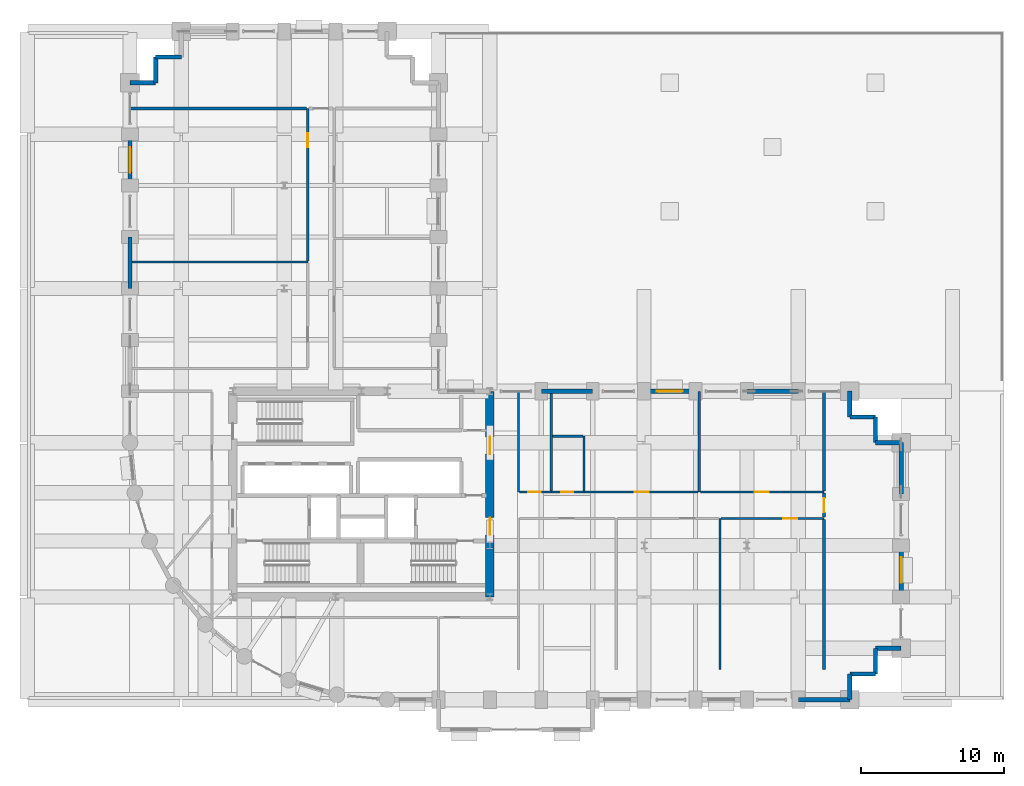
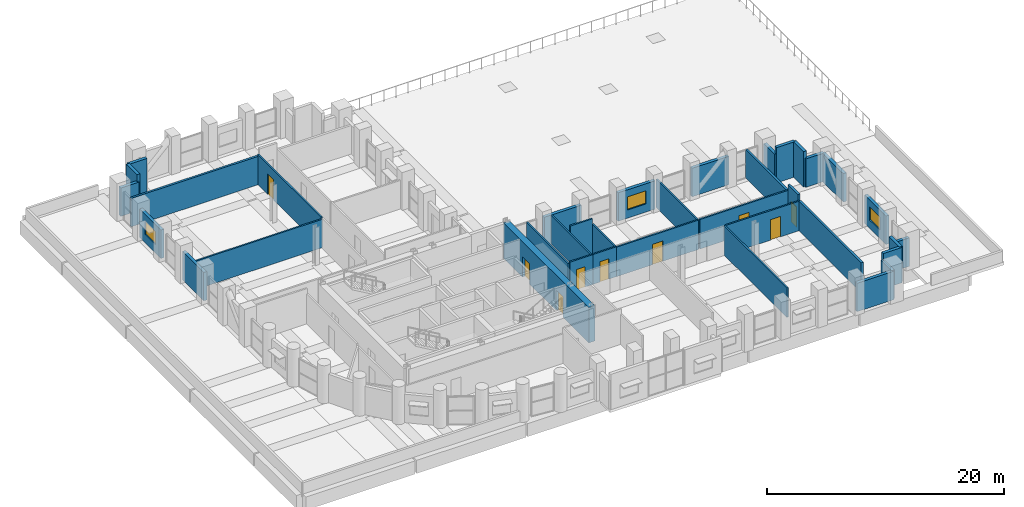
# One storey, part 36 of 39: 37 walls, 9 doors, 3 windows, 12 openings.
"""IFC4 building model written with IfcOpenShell, lengths in metres."""

from ifc_helpers import new_model, si_unit, direction, frame, frame_2d, origin, place, context, subcontext, project, spatial, rectangle, extrude, material, layer, layer_set, type_object, element, fill, save


model = new_model("IFC4")

# Units and contexts
model_context = context("Model", 3, precision=1e-05, world=origin(), true_north=direction((0.0, 1.0)))
body_context = subcontext(model_context, "Body", "Model", "MODEL_VIEW")
ifc_project = project(units=[si_unit("LENGTHUNIT", "METRE"), si_unit("AREAUNIT", "SQUARE_METRE"), si_unit("VOLUMEUNIT", "CUBIC_METRE"), si_unit("PLANEANGLEUNIT", "RADIAN"), si_unit("MASSUNIT", "GRAM", prefix="KILO")], contexts=[model_context])

# Site, building, storey
site_placement = place(None, origin())
site = spatial("IfcSite", under=ifc_project, at=site_placement, CompositionType="ELEMENT")
building_placement = place(site_placement, origin())
building = spatial("IfcBuilding", under=site, at=building_placement, Name="Solnavia Interchange Tower", CompositionType="ELEMENT")
storey_placement = place(building_placement, frame((0.0, 0.0, 24.0)))
storey = spatial("IfcBuildingStorey", under=building, at=storey_placement, Name="L05", CompositionType="ELEMENT", Elevation=24.0)

# Walls
ifc_material_1 = material(Name="Gypsum Acoustic Twin-Stud & Mineral Wool", Category="gypsum")
ifc_layer_1 = layer(ifc_material_1, 0.199951171875)
ifc_layer_set_1 = layer_set([ifc_layer_1], Name="Gypsum Acoustic Twin-Stud & Mineral Wool")
wall_type_1 = type_object("IfcWallType", Name="Wall-ApartmentParty-200", PredefinedType="PARTITIONING", material=ifc_layer_set_1)
wall_1_placement = place(storey_placement, frame((55.800048828125, 5.699951171875, 0.0), z_axis=(0.0, 0.0, 1.0), x_axis=(0.0, 1.0, 0.0)))
element("IfcWall", 1, at=wall_1_placement, inside=storey, type_object=wall_type_1, Name="PTW-L05-24 Interior partition wall", PredefinedType="PARTITIONING", context=body_context, shape_type="SweptSolid", body=[
    extrude(rectangle(XDim=10.52099609375, YDim=0.199951171875, at=frame_2d((5.260498046875, 0.0))), origin(), (0.0, 0.0, 1.0), 3.080078125),
])
wall_2_placement = place(storey_placement, frame((55.800048828125, 18.22900390625, 0.0), z_axis=(0.0, 0.0, 1.0), x_axis=(0.0, 1.0, 0.0)))
element("IfcWall", 2, at=wall_2_placement, inside=storey, type_object=wall_type_1, Name="PTW-L05-25 Interior partition wall", PredefinedType="PARTITIONING", context=body_context, shape_type="SweptSolid", body=[
    extrude(rectangle(XDim=6.970947265625, YDim=0.199951171875, at=frame_2d((3.4853515625, 0.0))), origin(), (0.0, 0.0, 1.0), 2.929931640625),
])

# Wall, opening, door
wall_3_placement = place(storey_placement, frame((55.800048828125, 16.37890625, 0.0), z_axis=(0.0, 0.0, 1.0), x_axis=(0.0, 1.0, 0.0)))
wall_3 = element("IfcWall", 3, at=wall_3_placement, inside=storey, type_object=wall_type_1, Name="PTW-L05-26 Interior partition wall", PredefinedType="PARTITIONING", context=body_context, shape_type="SweptSolid", body=[
    extrude(rectangle(XDim=1.692138671875, YDim=0.199951171875, at=frame_2d((0.84619140625, 0.0))), origin(), (0.0, 0.0, 1.0), 3.635009765625),
])
opening_1_placement = place(wall_3_placement, frame((0.339111328125, 0.0, 0.0)))
opening_1 = element("IfcOpeningElement", 4, at=opening_1_placement, cuts=wall_3, Name="Opening DR-06", PredefinedType="OPENING", context=body_context, shape_type="SweptSolid", body=[
    extrude(rectangle(XDim=1.0, YDim=2.10009765625, at=frame_2d((0.5, 1.050048828125))), frame((0.0, 0.10986328125, 0.0), z_axis=(0.0, -1.0, 0.0), x_axis=(1.0, 0.0, 0.0)), (0.0, 0.0, 1.0), 0.219970703125),
])
ifc_material_2 = material(Name="Engineered Timber Acoustic Fire Door", Category="wood")
door_type_1 = type_object("IfcDoorType", Name="Door-FlatEntry-1000x2100", OperationType="SINGLE_SWING_LEFT", PredefinedType="DOOR", material=ifc_material_2)
door_1_placement = place(opening_1_placement, origin())
door_1 = element("IfcDoor", 5, at=door_1_placement, inside=storey, type_object=door_type_1, Name="DR-L05-12 Interior room door", OperationType="SINGLE_SWING_RIGHT", OverallHeight=2.10009765625, OverallWidth=1.0, PredefinedType="DOOR", context=body_context, shape_type="SweptSolid", body=[
    extrude(rectangle(XDim=1.0, YDim=2.10009765625, at=frame_2d((0.5, 1.050048828125))), frame((0.0, 0.02490234375, 0.0), z_axis=(0.0, -1.0, 0.0), x_axis=(1.0, 0.0, 0.0)), (0.0, 0.0, 1.0), 0.050048828125),
])
fill(opening_1, door_1)

# Walls
wall_4_placement = place(storey_placement, frame((7.199951171875, 45.0, 0.0), z_axis=(0.0, 0.0, 1.0), x_axis=(1.0, 0.0, 0.0)))
element("IfcWall", 6, at=wall_4_placement, inside=storey, type_object=wall_type_1, Name="PTW-L05-35 Interior partition wall", PredefinedType="PARTITIONING", context=body_context, shape_type="SweptSolid", body=[
    extrude(rectangle(XDim=12.37109375, YDim=0.199951171875, at=frame_2d((6.185546875, 0.0))), origin(), (0.0, 0.0, 1.0), 2.929931640625),
])
ifc_material_3 = material(Name="Concrete C40/50", Category="concrete")
ifc_layer_2 = layer(ifc_material_3, 0.300048828125)
ifc_layer_set_2 = layer_set([ifc_layer_2], Name="Concrete C40/50")
wall_type_2 = type_object("IfcWallType", Name="Wall-ExtSpandrel-300", PredefinedType="STANDARD", material=ifc_layer_set_2)
wall_5_placement = place(storey_placement, frame((57.60009765625, 3.60009765625, 0.0), z_axis=(0.0, 0.0, 1.0), x_axis=(-1.0, 0.0, 0.0)))
element("IfcWall", 7, at=wall_5_placement, inside=storey, type_object=wall_type_2, Name="EXW-L05-11 Exterior precast spandrel wall", PredefinedType="STANDARD", context=body_context, shape_type="SweptSolid", body=[
    extrude(rectangle(XDim=3.60009765625, YDim=0.300048828125, at=frame_2d((1.800048828125, 0.0))), origin(), (0.0, 0.0, 1.0), 2.929931640625),
])
wall_6_placement = place(storey_placement, frame((57.60009765625, 5.39990234375, 0.0), z_axis=(0.0, 0.0, 1.0), x_axis=(0.0, -1.0, 0.0)))
element("IfcWall", 8, at=wall_6_placement, inside=storey, type_object=wall_type_2, Name="EXW-L05-12 Exterior precast spandrel wall", PredefinedType="STANDARD", context=body_context, shape_type="SweptSolid", body=[
    extrude(rectangle(XDim=1.7998046875, YDim=0.300048828125, at=frame_2d((0.89990234375, 0.0))), origin(), (0.0, 0.0, 1.0), 2.929931640625),
])
wall_7_placement = place(storey_placement, frame((59.39990234375, 5.39990234375, 0.0), z_axis=(0.0, 0.0, 1.0), x_axis=(-1.0, 0.0, 0.0)))
element("IfcWall", 9, at=wall_7_placement, inside=storey, type_object=wall_type_2, Name="EXW-L05-13 Exterior precast spandrel wall", PredefinedType="STANDARD", context=body_context, shape_type="SweptSolid", body=[
    extrude(rectangle(XDim=1.7998046875, YDim=0.300048828125, at=frame_2d((0.89990234375, 0.0))), origin(), (0.0, 0.0, 1.0), 3.635009765625),
])
wall_8_placement = place(storey_placement, frame((59.39990234375, 7.199951171875, 0.0), z_axis=(0.0, 0.0, 1.0), x_axis=(0.0, -1.0, 0.0)))
element("IfcWall", 10, at=wall_8_placement, inside=storey, type_object=wall_type_2, Name="EXW-L05-14 Exterior precast spandrel wall", PredefinedType="STANDARD", context=body_context, shape_type="SweptSolid", body=[
    extrude(rectangle(XDim=1.800048828125, YDim=0.300048828125, at=frame_2d((0.89990234375, 0.0))), origin(), (0.0, 0.0, 1.0), 3.635009765625),
])
wall_9_placement = place(storey_placement, frame((61.199951171875, 7.199951171875, 0.0), z_axis=(0.0, 0.0, 1.0), x_axis=(-1.0, 0.0, 0.0)))
element("IfcWall", 11, at=wall_9_placement, inside=storey, type_object=wall_type_2, Name="EXW-L05-15 Exterior precast spandrel wall", PredefinedType="STANDARD", context=body_context, shape_type="SweptSolid", body=[
    extrude(rectangle(XDim=1.800048828125, YDim=0.300048828125, at=frame_2d((0.89990234375, 0.0))), origin(), (0.0, 0.0, 1.0), 2.929931640625),
])

# Wall, opening, window
wall_10_placement = place(storey_placement, frame((61.199951171875, 14.39990234375, 0.0), z_axis=(0.0, 0.0, 1.0), x_axis=(0.0, -1.0, 0.0)))
wall_10 = element("IfcWall", 12, at=wall_10_placement, inside=storey, type_object=wall_type_2, Name="EXW-L05-17 Exterior precast spandrel wall", PredefinedType="STANDARD", context=body_context, shape_type="SweptSolid", body=[
    extrude(rectangle(XDim=3.599853515625, YDim=0.300048828125, at=frame_2d((1.7998046875, 0.0))), origin(), (0.0, 0.0, 1.0), 2.929931640625),
])
opening_2_placement = place(wall_10_placement, frame((0.824951171875, 0.0, 0.85009765625)))
opening_2 = element("IfcOpeningElement", 13, at=opening_2_placement, cuts=wall_10, Name="Opening WIN-02", PredefinedType="OPENING", context=body_context, shape_type="SweptSolid", body=[
    extrude(rectangle(XDim=1.800048828125, YDim=1.35009765625, at=frame_2d((0.89990234375, 0.675048828125))), frame((0.0, 0.16015625, 0.0), z_axis=(0.0, -1.0, 0.0), x_axis=(1.0, 0.0, 0.0)), (0.0, 0.0, 1.0), 0.320068359375),
])
ifc_material_4 = material(Name="Thermal-Break Aluminium & Low-E Glass", Category="aluminium")
window_type = type_object("IfcWindowType", Name="Window-Ribbon-1800x1350", PartitioningType="SINGLE_PANEL", PredefinedType="WINDOW", material=ifc_material_4)
window_1_placement = place(opening_2_placement, origin())
window_1 = element("IfcWindow", 14, at=window_1_placement, inside=storey, type_object=window_type, Name="WIN-L05-17 Facade ribbon window", OverallHeight=1.35009765625, OverallWidth=1.800048828125, PartitioningType="SINGLE_PANEL", PredefinedType="WINDOW", context=body_context, shape_type="SweptSolid", body=[
    extrude(rectangle(XDim=1.800048828125, YDim=1.35009765625, at=frame_2d((0.89990234375, 0.675048828125))), frame((0.0, 0.030029296875, 0.0), z_axis=(0.0, -1.0, 0.0), x_axis=(1.0, 0.0, 0.0)), (0.0, 0.0, 1.0), 0.06005859375),
])
fill(opening_2, window_1)

# Walls
wall_11_placement = place(storey_placement, frame((61.199951171875, 21.60009765625, 0.0), z_axis=(0.0, 0.0, 1.0), x_axis=(0.0, -1.0, 0.0)))
element("IfcWall", 15, at=wall_11_placement, inside=storey, type_object=wall_type_2, Name="EXW-L05-19 Exterior precast spandrel wall", PredefinedType="STANDARD", context=body_context, shape_type="SweptSolid", body=[
    extrude(rectangle(XDim=3.60009765625, YDim=0.300048828125, at=frame_2d((1.800048828125, 0.0))), origin(), (0.0, 0.0, 1.0), 2.929931640625),
])
wall_12_placement = place(storey_placement, frame((61.199951171875, 21.60009765625, 0.0), z_axis=(0.0, 0.0, 1.0), x_axis=(-1.0, 0.0, 0.0)))
element("IfcWall", 16, at=wall_12_placement, inside=storey, type_object=wall_type_2, Name="EXW-L05-20 Exterior precast spandrel wall", PredefinedType="STANDARD", context=body_context, shape_type="SweptSolid", body=[
    extrude(rectangle(XDim=1.800048828125, YDim=0.300048828125, at=frame_2d((0.89990234375, 0.0))), origin(), (0.0, 0.0, 1.0), 2.929931640625),
])
for number, where, z_axis, x_axis, name in (
    (17, (59.39990234375, 23.39990234375, 0.0), (0.0, 0.0, 1.0), (0.0, -1.0, 0.0), "EXW-L05-21 Exterior precast spandrel wall"),
    (18, (57.60009765625, 23.39990234375, 0.0), (0.0, 0.0, 1.0), (1.0, 0.0, 0.0), "EXW-L05-22 Exterior precast spandrel wall"),
):
    element("IfcWall", number, at=place(storey_placement, frame(where, z_axis=z_axis, x_axis=x_axis)), inside=storey, type_object=wall_type_2, Name=name, PredefinedType="STANDARD", context=body_context, shape_type="SweptSolid", body=[
        extrude(rectangle(XDim=1.7998046875, YDim=0.300048828125, at=frame_2d((0.89990234375, 0.0))), origin(), (0.0, 0.0, 1.0), 3.635009765625),
    ])
wall_13_placement = place(storey_placement, frame((57.60009765625, 25.199951171875, 0.0), z_axis=(0.0, 0.0, 1.0), x_axis=(0.0, -1.0, 0.0)))
element("IfcWall", 19, at=wall_13_placement, inside=storey, type_object=wall_type_2, Name="EXW-L05-23 Exterior precast spandrel wall", PredefinedType="STANDARD", context=body_context, shape_type="SweptSolid", body=[
    extrude(rectangle(XDim=1.800048828125, YDim=0.300048828125, at=frame_2d((0.89990234375, 0.0))), origin(), (0.0, 0.0, 1.0), 2.929931640625),
])
wall_14_placement = place(storey_placement, frame((50.39990234375, 25.199951171875, 0.0), z_axis=(0.0, 0.0, 1.0), x_axis=(1.0, 0.0, 0.0)))
element("IfcWall", 20, at=wall_14_placement, inside=storey, type_object=wall_type_2, Name="EXW-L05-25 Exterior precast spandrel wall", PredefinedType="STANDARD", context=body_context, shape_type="SweptSolid", body=[
    extrude(rectangle(XDim=3.60009765625, YDim=0.300048828125, at=frame_2d((1.800048828125, 0.0))), origin(), (0.0, 0.0, 1.0), 2.929931640625),
])

# Wall, opening, window
wall_15_placement = place(storey_placement, frame((43.199951171875, 25.199951171875, 0.0), z_axis=(0.0, 0.0, 1.0), x_axis=(1.0, 0.0, 0.0)))
wall_15 = element("IfcWall", 21, at=wall_15_placement, inside=storey, type_object=wall_type_2, Name="EXW-L05-27 Exterior precast spandrel wall", PredefinedType="STANDARD", context=body_context, shape_type="SweptSolid", body=[
    extrude(rectangle(XDim=3.60009765625, YDim=0.300048828125, at=frame_2d((1.800048828125, 0.0))), origin(), (0.0, 0.0, 1.0), 2.929931640625),
])
opening_3_placement = place(wall_15_placement, frame((0.89990234375, 0.0, 0.85009765625)))
opening_3 = element("IfcOpeningElement", 22, at=opening_3_placement, cuts=wall_15, Name="Opening WIN-02", PredefinedType="OPENING", context=body_context, shape_type="SweptSolid", body=[
    extrude(rectangle(XDim=1.800048828125, YDim=1.35009765625, at=frame_2d((0.89990234375, 0.675048828125))), frame((0.0, 0.16015625, 0.0), z_axis=(0.0, -1.0, 0.0), x_axis=(1.0, 0.0, 0.0)), (0.0, 0.0, 1.0), 0.320068359375),
])
window_2_placement = place(opening_3_placement, origin())
window_2 = element("IfcWindow", 23, at=window_2_placement, inside=storey, type_object=window_type, Name="WIN-L05-27 Facade ribbon window", OverallHeight=1.35009765625, OverallWidth=1.800048828125, PartitioningType="SINGLE_PANEL", PredefinedType="WINDOW", context=body_context, shape_type="SweptSolid", body=[
    extrude(rectangle(XDim=1.800048828125, YDim=1.35009765625, at=frame_2d((0.89990234375, 0.675048828125))), frame((0.0, 0.030029296875, 0.0), z_axis=(0.0, -1.0, 0.0), x_axis=(1.0, 0.0, 0.0)), (0.0, 0.0, 1.0), 0.06005859375),
])
fill(opening_3, window_2)

# Walls
wall_16_placement = place(storey_placement, frame((36.0, 25.199951171875, 0.0), z_axis=(0.0, 0.0, 1.0), x_axis=(1.0, 0.0, 0.0)))
element("IfcWall", 24, at=wall_16_placement, inside=storey, type_object=wall_type_2, Name="EXW-L05-29 Exterior precast spandrel wall", PredefinedType="STANDARD", context=body_context, shape_type="SweptSolid", body=[
    extrude(rectangle(XDim=3.60009765625, YDim=0.300048828125, at=frame_2d((1.800048828125, 0.0))), origin(), (0.0, 0.0, 1.0), 2.929931640625),
])
for number, where, z_axis, x_axis, name in (
    (25, (9.0, 48.60009765625, 0.0), (0.0, 0.0, 1.0), (1.0, 0.0, 0.0), "EXW-L05-47 Exterior precast spandrel wall"),
    (26, (9.0, 46.800048828125, 0.0), (0.0, 0.0, 1.0), (0.0, 1.0, 0.0), "EXW-L05-48 Exterior precast spandrel wall"),
):
    element("IfcWall", number, at=place(storey_placement, frame(where, z_axis=z_axis, x_axis=x_axis)), inside=storey, type_object=wall_type_2, Name=name, PredefinedType="STANDARD", context=body_context, shape_type="SweptSolid", body=[
        extrude(rectangle(XDim=1.800048828125, YDim=0.300048828125, at=frame_2d((0.89990234375, 0.0))), origin(), (0.0, 0.0, 1.0), 3.635009765625),
    ])
wall_17_placement = place(storey_placement, frame((7.199951171875, 46.800048828125, 0.0), z_axis=(0.0, 0.0, 1.0), x_axis=(1.0, 0.0, 0.0)))
element("IfcWall", 27, at=wall_17_placement, inside=storey, type_object=wall_type_2, Name="EXW-L05-49 Exterior precast spandrel wall", PredefinedType="STANDARD", context=body_context, shape_type="SweptSolid", body=[
    extrude(rectangle(XDim=1.800048828125, YDim=0.300048828125, at=frame_2d((0.89990234375, 0.0))), origin(), (0.0, 0.0, 1.0), 2.929931640625),
])

# Wall, opening, window
wall_18_placement = place(storey_placement, frame((7.199951171875, 39.60009765625, 0.0), z_axis=(0.0, 0.0, 1.0), x_axis=(0.0, 1.0, 0.0)))
wall_18 = element("IfcWall", 28, at=wall_18_placement, inside=storey, type_object=wall_type_2, Name="EXW-L05-51 Exterior precast spandrel wall", PredefinedType="STANDARD", context=body_context, shape_type="SweptSolid", body=[
    extrude(rectangle(XDim=3.599853515625, YDim=0.300048828125, at=frame_2d((1.7998046875, 0.0))), origin(), (0.0, 0.0, 1.0), 2.929931640625),
])
opening_4_placement = place(wall_18_placement, frame((0.89990234375, 0.0, 0.85009765625)))
opening_4 = element("IfcOpeningElement", 29, at=opening_4_placement, cuts=wall_18, Name="Opening WIN-02", PredefinedType="OPENING", context=body_context, shape_type="SweptSolid", body=[
    extrude(rectangle(XDim=1.800048828125, YDim=1.35009765625, at=frame_2d((0.89990234375, 0.675048828125))), frame((0.0, 0.16015625, 0.0), z_axis=(0.0, -1.0, 0.0), x_axis=(1.0, 0.0, 0.0)), (0.0, 0.0, 1.0), 0.320068359375),
])
window_3_placement = place(opening_4_placement, origin())
window_3 = element("IfcWindow", 30, at=window_3_placement, inside=storey, type_object=window_type, Name="WIN-L05-51 Facade ribbon window", OverallHeight=1.35009765625, OverallWidth=1.800048828125, PartitioningType="SINGLE_PANEL", PredefinedType="WINDOW", context=body_context, shape_type="SweptSolid", body=[
    extrude(rectangle(XDim=1.800048828125, YDim=1.35009765625, at=frame_2d((0.89990234375, 0.675048828125))), frame((0.0, 0.030029296875, 0.0), z_axis=(0.0, -1.0, 0.0), x_axis=(1.0, 0.0, 0.0)), (0.0, 0.0, 1.0), 0.06005859375),
])
fill(opening_4, window_3)

# Walls
wall_19_placement = place(storey_placement, frame((7.199951171875, 32.39990234375, 0.0), z_axis=(0.0, 0.0, 1.0), x_axis=(0.0, 1.0, 0.0)))
element("IfcWall", 31, at=wall_19_placement, inside=storey, type_object=wall_type_2, Name="EXW-L05-53 Exterior precast spandrel wall", PredefinedType="STANDARD", context=body_context, shape_type="SweptSolid", body=[
    extrude(rectangle(XDim=3.60009765625, YDim=0.300048828125, at=frame_2d((1.800048828125, 0.0))), origin(), (0.0, 0.0, 1.0), 2.929931640625),
])
ifc_material_5 = material(Name="Gypsum Plasterboard & Steel Stud", Category="steel")
ifc_layer_3 = layer(ifc_material_5, 0.14990234375)
ifc_layer_set_3 = layer_set([ifc_layer_3], Name="Gypsum Plasterboard & Steel Stud")
wall_type_3 = type_object("IfcWallType", Name="Wall-Partition-150", PredefinedType="PARTITIONING", material=ifc_layer_set_3)
wall_20_placement = place(storey_placement, frame((48.52001953125, 5.699951171875, 0.0), z_axis=(0.0, 0.0, 1.0), x_axis=(0.0, 1.0, 0.0)))
element("IfcWall", 32, at=wall_20_placement, inside=storey, type_object=wall_type_3, Name="PTW-L05-18 Interior partition wall", PredefinedType="PARTITIONING", context=body_context, shape_type="SweptSolid", body=[
    extrude(rectangle(XDim=10.60009765625, YDim=0.14990234375, at=frame_2d((5.300048828125, 0.0))), origin(), (0.0, 0.0, 1.0), 3.030029296875),
])

# Wall, opening, door
wall_21_placement = place(storey_placement, frame((48.59912109375, 16.300048828125, 0.0), z_axis=(0.0, 0.0, 1.0), x_axis=(1.0, 0.0, 0.0)))
wall_21 = element("IfcWall", 33, at=wall_21_placement, inside=storey, type_object=wall_type_3, Name="PTW-L05-20 Interior partition wall", PredefinedType="PARTITIONING", context=body_context, shape_type="SweptSolid", body=[
    extrude(rectangle(XDim=7.200927734375, YDim=0.14990234375, at=frame_2d((3.6005859375, 0.0))), origin(), (0.0, 0.0, 1.0), 3.0400390625),
])
opening_5_placement = place(wall_21_placement, frame((4.33203125, 0.0, 0.0)))
opening_5 = element("IfcOpeningElement", 34, at=opening_5_placement, cuts=wall_21, Name="Opening DR-07", PredefinedType="OPENING", context=body_context, shape_type="SweptSolid", body=[
    extrude(rectangle(XDim=1.0, YDim=2.10009765625, at=frame_2d((0.5, 1.050048828125))), frame((0.0, 0.0849609375, 0.0), z_axis=(0.0, -1.0, 0.0), x_axis=(1.0, 0.0, 0.0)), (0.0, 0.0, 1.0), 0.169921875),
])
ifc_material_6 = material(Name="Timber & Acoustic Glazed Office Door", Category="wood")
door_type_2 = type_object("IfcDoorType", Name="Door-Office-1000x2100", OperationType="SINGLE_SWING_RIGHT", PredefinedType="DOOR", material=ifc_material_6)
door_2_placement = place(opening_5_placement, origin())
door_2 = element("IfcDoor", 35, at=door_2_placement, inside=storey, type_object=door_type_2, Name="DR-L05-09 Interior room door", OperationType="SINGLE_SWING_LEFT", OverallHeight=2.10009765625, OverallWidth=1.0, PredefinedType="DOOR", context=body_context, shape_type="SweptSolid", body=[
    extrude(rectangle(XDim=1.0, YDim=2.10009765625, at=frame_2d((0.5, 1.050048828125))), frame((0.0, 0.02490234375, 0.0), z_axis=(0.0, -1.0, 0.0), x_axis=(1.0, 0.0, 0.0)), (0.0, 0.0, 1.0), 0.050048828125),
])
fill(opening_5, door_2)

# Wall
wall_22_placement = place(storey_placement, frame((47.06005859375, 18.14990234375, 0.0), z_axis=(0.0, 0.0, 1.0), x_axis=(0.0, 1.0, 0.0)))
element("IfcWall", 36, at=wall_22_placement, inside=storey, type_object=wall_type_3, Name="PTW-L05-21 Interior partition wall", PredefinedType="PARTITIONING", context=body_context, shape_type="SweptSolid", body=[
    extrude(rectangle(XDim=7.050048828125, YDim=0.14990234375, at=frame_2d((3.52490234375, 0.0))), origin(), (0.0, 0.0, 1.0), 2.929931640625),
])

# Wall, opening, door
wall_23_placement = place(storey_placement, frame((39.0, 18.14990234375, 0.0), z_axis=(0.0, 0.0, 1.0), x_axis=(1.0, 0.0, 0.0)))
wall_23 = element("IfcWall", 37, at=wall_23_placement, inside=storey, type_object=wall_type_3, Name="PTW-L05-22 Interior partition wall", PredefinedType="PARTITIONING", context=body_context, shape_type="SweptSolid", body=[
    extrude(rectangle(XDim=7.98095703125, YDim=0.14990234375, at=frame_2d((3.990478515625, 0.0))), origin(), (0.0, 0.0, 1.0), 3.030029296875),
])
opening_6_placement = place(wall_23_placement, frame((3.530029296875, 0.0, 0.0)))
opening_6 = element("IfcOpeningElement", 38, at=opening_6_placement, cuts=wall_23, Name="Opening DR-07", PredefinedType="OPENING", context=body_context, shape_type="SweptSolid", body=[
    extrude(rectangle(XDim=1.0, YDim=2.10009765625, at=frame_2d((0.5, 1.050048828125))), frame((0.0, 0.0849609375, 0.0), z_axis=(0.0, -1.0, 0.0), x_axis=(1.0, 0.0, 0.0)), (0.0, 0.0, 1.0), 0.169921875),
])
door_3_placement = place(opening_6_placement, origin())
door_3 = element("IfcDoor", 39, at=door_3_placement, inside=storey, type_object=door_type_2, Name="DR-L05-10 Interior room door", OperationType="SINGLE_SWING_RIGHT", OverallHeight=2.10009765625, OverallWidth=1.0, PredefinedType="DOOR", context=body_context, shape_type="SweptSolid", body=[
    extrude(rectangle(XDim=1.0, YDim=2.10009765625, at=frame_2d((0.5, 1.050048828125))), frame((0.0, 0.02490234375, 0.0), z_axis=(0.0, -1.0, 0.0), x_axis=(1.0, 0.0, 0.0)), (0.0, 0.0, 1.0), 0.050048828125),
])
fill(opening_6, door_3)

wall_24_placement = place(storey_placement, frame((47.138916015625, 18.14990234375, 0.0), z_axis=(0.0, 0.0, 1.0), x_axis=(1.0, 0.0, 0.0)))
wall_24 = element("IfcWall", 40, at=wall_24_placement, inside=storey, type_object=wall_type_3, Name="PTW-L05-23 Interior partition wall", PredefinedType="PARTITIONING", context=body_context, shape_type="SweptSolid", body=[
    extrude(rectangle(XDim=8.6611328125, YDim=0.14990234375, at=frame_2d((4.33056640625, 0.0))), origin(), (0.0, 0.0, 1.0), 3.0400390625),
])
opening_7_placement = place(wall_24_placement, frame((3.791015625, 0.0, 0.0)))
opening_7 = element("IfcOpeningElement", 41, at=opening_7_placement, cuts=wall_24, Name="Opening DR-07", PredefinedType="OPENING", context=body_context, shape_type="SweptSolid", body=[
    extrude(rectangle(XDim=1.0, YDim=2.10009765625, at=frame_2d((0.5, 1.050048828125))), frame((0.0, 0.0849609375, 0.0), z_axis=(0.0, -1.0, 0.0), x_axis=(1.0, 0.0, 0.0)), (0.0, 0.0, 1.0), 0.169921875),
])
door_4_placement = place(opening_7_placement, origin())
door_4 = element("IfcDoor", 42, at=door_4_placement, inside=storey, type_object=door_type_2, Name="DR-L05-11 Interior room door", OperationType="SINGLE_SWING_RIGHT", OverallHeight=2.10009765625, OverallWidth=1.0, PredefinedType="DOOR", context=body_context, shape_type="SweptSolid", body=[
    extrude(rectangle(XDim=1.0, YDim=2.10009765625, at=frame_2d((0.5, 1.050048828125))), frame((0.0, 0.02490234375, 0.0), z_axis=(0.0, -1.0, 0.0), x_axis=(1.0, 0.0, 0.0)), (0.0, 0.0, 1.0), 0.050048828125),
])
fill(opening_7, door_4)

# Wall
wall_25_placement = place(storey_placement, frame((7.35400390625, 34.25, 0.0), z_axis=(0.0, 0.0, 1.0), x_axis=(1.0, 0.0, 0.0)))
element("IfcWall", 43, at=wall_25_placement, inside=storey, type_object=wall_type_3, Name="PTW-L05-28 Interior partition wall", PredefinedType="PARTITIONING", context=body_context, shape_type="SweptSolid", body=[
    extrude(rectangle(XDim=12.2958984375, YDim=0.14990234375, at=frame_2d((6.14794921875, 0.0))), origin(), (0.0, 0.0, 1.0), 2.929931640625),
])

# Wall, opening, door
wall_26_placement = place(storey_placement, frame((19.64990234375, 34.3291015625, 0.0), z_axis=(0.0, 0.0, 1.0), x_axis=(0.0, 1.0, 0.0)))
wall_26 = element("IfcWall", 44, at=wall_26_placement, inside=storey, type_object=wall_type_3, Name="PTW-L05-30 Interior partition wall", PredefinedType="PARTITIONING", context=body_context, shape_type="SweptSolid", body=[
    extrude(rectangle(XDim=10.6708984375, YDim=0.14990234375, at=frame_2d((5.33544921875, 0.0))), origin(), (0.0, 0.0, 1.0), 3.080078125),
])
opening_8_placement = place(wall_26_placement, frame((7.952880859375, 0.0, 0.0)))
opening_8 = element("IfcOpeningElement", 45, at=opening_8_placement, cuts=wall_26, Name="Opening DR-07", PredefinedType="OPENING", context=body_context, shape_type="SweptSolid", body=[
    extrude(rectangle(XDim=1.0, YDim=2.10009765625, at=frame_2d((0.5, 1.050048828125))), frame((0.0, 0.0849609375, 0.0), z_axis=(0.0, -1.0, 0.0), x_axis=(1.0, 0.0, 0.0)), (0.0, 0.0, 1.0), 0.169921875),
])
door_5_placement = place(opening_8_placement, origin())
door_5 = element("IfcDoor", 46, at=door_5_placement, inside=storey, type_object=door_type_2, Name="DR-L05-14 Interior room door", OperationType="SINGLE_SWING_RIGHT", OverallHeight=2.10009765625, OverallWidth=1.0, PredefinedType="DOOR", context=body_context, shape_type="SweptSolid", body=[
    extrude(rectangle(XDim=1.0, YDim=2.10009765625, at=frame_2d((0.5, 1.050048828125))), frame((0.0, 0.02490234375, 0.0), z_axis=(0.0, -1.0, 0.0), x_axis=(1.0, 0.0, 0.0)), (0.0, 0.0, 1.0), 0.050048828125),
])
fill(opening_8, door_5)

# Wall, openings, doors
ifc_material_7 = material(Name="Concrete C60/75", Category="concrete")
ifc_layer_4 = layer(ifc_material_7, 0.60009765625)
ifc_layer_set_4 = layer_set([ifc_layer_4], Name="Concrete C60/75")
wall_type_4 = type_object("IfcWallType", Name="Wall-ShearCore-600", PredefinedType="SHEAR", material=ifc_layer_set_4)
wall_27_placement = place(storey_placement, frame((32.39990234375, 10.800048828125, 0.0), z_axis=(0.0, 0.0, 1.0), x_axis=(0.0, 1.0, 0.0)))
wall_27 = element("IfcWall", 47, at=wall_27_placement, inside=storey, type_object=wall_type_4, Name="CRW-L05-E Core shear wall", PredefinedType="SHEAR", context=body_context, shape_type="SweptSolid", body=[
    extrude(rectangle(XDim=14.39990234375, YDim=0.60009765625, at=frame_2d((7.199951171875, 0.0))), origin(), (0.0, 0.0, 1.0), 3.64990234375),
])
opening_9_placement = place(wall_27_placement, frame((4.35009765625, 0.0, 0.0)))
opening_9 = element("IfcOpeningElement", 48, at=opening_9_placement, cuts=wall_27, Name="Opening DR-02", PredefinedType="OPENING", context=body_context, shape_type="SweptSolid", body=[
    extrude(rectangle(XDim=1.199951171875, YDim=2.10009765625, at=frame_2d((0.60009765625, 1.050048828125))), frame((0.0, 0.31005859375, 0.0), z_axis=(0.0, -1.0, 0.0), x_axis=(1.0, 0.0, 0.0)), (0.0, 0.0, 1.0), 0.6201171875),
])
opening_10_placement = place(wall_27_placement, frame((10.0, 0.0, 0.0)))
opening_10 = element("IfcOpeningElement", 49, at=opening_10_placement, cuts=wall_27, Name="Opening DR-02", PredefinedType="OPENING", context=body_context, shape_type="SweptSolid", body=[
    extrude(rectangle(XDim=1.199951171875, YDim=2.10009765625, at=frame_2d((0.60009765625, 1.050048828125))), frame((0.0, 0.31005859375, 0.0), z_axis=(0.0, -1.0, 0.0), x_axis=(1.0, 0.0, 0.0)), (0.0, 0.0, 1.0), 0.6201171875),
])
ifc_material_8 = material(Name="Steel Fire-Rated Vision-Panel Door", Category="steel")
door_type_3 = type_object("IfcDoorType", Name="Door-LobbyFire-1200x2100", OperationType="SINGLE_SWING_RIGHT", PredefinedType="DOOR", material=ifc_material_8)
door_6_placement = place(opening_9_placement, origin())
door_6 = element("IfcDoor", 50, at=door_6_placement, inside=storey, type_object=door_type_3, Name="DR-L05-FFL2E Core fire door", OperationType="SINGLE_SWING_LEFT", OverallHeight=2.10009765625, OverallWidth=1.199951171875, PredefinedType="DOOR", context=body_context, shape_type="SweptSolid", body=[
    extrude(rectangle(XDim=1.199951171875, YDim=2.10009765625, at=frame_2d((0.60009765625, 1.050048828125))), frame((0.0, 0.02490234375, 0.0), z_axis=(0.0, -1.0, 0.0), x_axis=(1.0, 0.0, 0.0)), (0.0, 0.0, 1.0), 0.050048828125),
])
fill(opening_9, door_6)
door_7_placement = place(opening_10_placement, origin())
door_7 = element("IfcDoor", 51, at=door_7_placement, inside=storey, type_object=door_type_3, Name="DR-L05-LLE Core fire door", OperationType="SINGLE_SWING_RIGHT", OverallHeight=2.10009765625, OverallWidth=1.199951171875, PredefinedType="DOOR", context=body_context, shape_type="SweptSolid", body=[
    extrude(rectangle(XDim=1.199951171875, YDim=2.10009765625, at=frame_2d((0.60009765625, 1.050048828125))), frame((0.0, 0.02490234375, 0.0), z_axis=(0.0, -1.0, 0.0), x_axis=(1.0, 0.0, 0.0)), (0.0, 0.0, 1.0), 0.050048828125),
])
fill(opening_10, door_7)

# Wall
ifc_material_9 = material(Name="Moisture-Resistant Gypsum & Steel Stud", Category="steel")
ifc_layer_5 = layer(ifc_material_9, 0.14990234375)
ifc_layer_set_5 = layer_set([ifc_layer_5], Name="Moisture-Resistant Gypsum & Steel Stud")
wall_type_5 = type_object("IfcWallType", Name="Wall-WetRoom-150", PredefinedType="PARTITIONING", material=ifc_layer_set_5)
wall_28_placement = place(storey_placement, frame((34.39990234375, 18.14990234375, 0.0), z_axis=(0.0, 0.0, 1.0), x_axis=(0.0, 1.0, 0.0)))
element("IfcWall", 52, at=wall_28_placement, inside=storey, type_object=wall_type_5, Name="PTW-L05-01 Interior partition wall", PredefinedType="PARTITIONING", context=body_context, shape_type="SweptSolid", body=[
    extrude(rectangle(XDim=7.050048828125, YDim=0.14990234375, at=frame_2d((3.52490234375, 0.0))), origin(), (0.0, 0.0, 1.0), 2.929931640625),
])

# Wall, opening, door
wall_29_placement = place(storey_placement, frame((34.47900390625, 18.14990234375, 0.0), z_axis=(0.0, 0.0, 1.0), x_axis=(1.0, 0.0, 0.0)))
wall_29 = element("IfcWall", 53, at=wall_29_placement, inside=storey, type_object=wall_type_5, Name="PTW-L05-02 Interior partition wall", PredefinedType="PARTITIONING", context=body_context, shape_type="SweptSolid", body=[
    extrude(rectangle(XDim=2.220947265625, YDim=0.14990234375, at=frame_2d((1.1103515625, 0.0))), origin(), (0.0, 0.0, 1.0), 3.080078125),
])
opening_11_placement = place(wall_29_placement, frame((0.617919921875, 0.0, 0.0)))
opening_11 = element("IfcOpeningElement", 54, at=opening_11_placement, cuts=wall_29, Name="Opening DR-10", PredefinedType="OPENING", context=body_context, shape_type="SweptSolid", body=[
    extrude(rectangle(XDim=0.85009765625, YDim=2.10009765625, at=frame_2d((0.425048828125, 1.050048828125))), frame((0.0, 0.0849609375, 0.0), z_axis=(0.0, -1.0, 0.0), x_axis=(1.0, 0.0, 0.0)), (0.0, 0.0, 1.0), 0.169921875),
])
ifc_material_10 = material(Name="Moisture-Resistant Timber Door", Category="wood")
door_type_4 = type_object("IfcDoorType", Name="Door-Bathroom-850x2100", OperationType="SINGLE_SWING_RIGHT", PredefinedType="DOOR", material=ifc_material_10)
door_8_placement = place(opening_11_placement, origin())
door_8 = element("IfcDoor", 55, at=door_8_placement, inside=storey, type_object=door_type_4, Name="DR-L05-01 Interior room door", OperationType="SINGLE_SWING_LEFT", OverallHeight=2.10009765625, OverallWidth=0.85009765625, PredefinedType="DOOR", context=body_context, shape_type="SweptSolid", body=[
    extrude(rectangle(XDim=0.85009765625, YDim=2.10009765625, at=frame_2d((0.425048828125, 1.050048828125))), frame((0.0, 0.02490234375, 0.0), z_axis=(0.0, -1.0, 0.0), x_axis=(1.0, 0.0, 0.0)), (0.0, 0.0, 1.0), 0.050048828125),
])
fill(opening_11, door_8)

# Wall
wall_30_placement = place(storey_placement, frame((36.699951171875, 18.22900390625, 0.0), z_axis=(0.0, 0.0, 1.0), x_axis=(0.0, 1.0, 0.0)))
element("IfcWall", 56, at=wall_30_placement, inside=storey, type_object=wall_type_5, Name="PTW-L05-03 Interior partition wall", PredefinedType="PARTITIONING", context=body_context, shape_type="SweptSolid", body=[
    extrude(rectangle(XDim=6.81689453125, YDim=0.14990234375, at=frame_2d((3.408447265625, 0.0))), origin(), (0.0, 0.0, 1.0), 2.929931640625),
])

# Wall, opening, door
wall_31_placement = place(storey_placement, frame((36.699951171875, 18.14990234375, 0.0), z_axis=(0.0, 0.0, 1.0), x_axis=(1.0, 0.0, 0.0)))
wall_31 = element("IfcWall", 57, at=wall_31_placement, inside=storey, type_object=wall_type_5, Name="PTW-L05-04 Interior partition wall", PredefinedType="PARTITIONING", context=body_context, shape_type="SweptSolid", body=[
    extrude(rectangle(XDim=2.300048828125, YDim=0.14990234375, at=frame_2d((1.14990234375, 0.0))), origin(), (0.0, 0.0, 1.0), 3.080078125),
])
opening_12_placement = place(wall_31_placement, frame((0.697021484375, 0.0, 0.0)))
opening_12 = element("IfcOpeningElement", 58, at=opening_12_placement, cuts=wall_31, Name="Opening DR-10", PredefinedType="OPENING", context=body_context, shape_type="SweptSolid", body=[
    extrude(rectangle(XDim=0.85009765625, YDim=2.10009765625, at=frame_2d((0.425048828125, 1.050048828125))), frame((0.0, 0.0849609375, 0.0), z_axis=(0.0, -1.0, 0.0), x_axis=(1.0, 0.0, 0.0)), (0.0, 0.0, 1.0), 0.169921875),
])
door_9_placement = place(opening_12_placement, origin())
door_9 = element("IfcDoor", 59, at=door_9_placement, inside=storey, type_object=door_type_4, Name="DR-L05-02 Interior room door", OperationType="SINGLE_SWING_RIGHT", OverallHeight=2.10009765625, OverallWidth=0.85009765625, PredefinedType="DOOR", context=body_context, shape_type="SweptSolid", body=[
    extrude(rectangle(XDim=0.85009765625, YDim=2.10009765625, at=frame_2d((0.425048828125, 1.050048828125))), frame((0.0, 0.02490234375, 0.0), z_axis=(0.0, -1.0, 0.0), x_axis=(1.0, 0.0, 0.0)), (0.0, 0.0, 1.0), 0.050048828125),
])
fill(opening_12, door_9)

# Walls
wall_32_placement = place(storey_placement, frame((39.0, 18.22900390625, 0.0), z_axis=(0.0, 0.0, 1.0), x_axis=(0.0, 1.0, 0.0)))
element("IfcWall", 60, at=wall_32_placement, inside=storey, type_object=wall_type_5, Name="PTW-L05-05 Interior partition wall", PredefinedType="PARTITIONING", context=body_context, shape_type="SweptSolid", body=[
    extrude(rectangle(XDim=3.821044921875, YDim=0.14990234375, at=frame_2d((1.91064453125, 0.0))), origin(), (0.0, 0.0, 1.0), 3.030029296875),
])
wall_33_placement = place(storey_placement, frame((36.779052734375, 22.050048828125, 0.0), z_axis=(0.0, 0.0, 1.0), x_axis=(1.0, 0.0, 0.0)))
element("IfcWall", 61, at=wall_33_placement, inside=storey, type_object=wall_type_5, Name="PTW-L05-06 Interior partition wall", PredefinedType="PARTITIONING", context=body_context, shape_type="SweptSolid", body=[
    extrude(rectangle(XDim=2.141845703125, YDim=0.14990234375, at=frame_2d((1.07080078125, 0.0))), origin(), (0.0, 0.0, 1.0), 3.635009765625),
])

save(model, "model.ifc")
